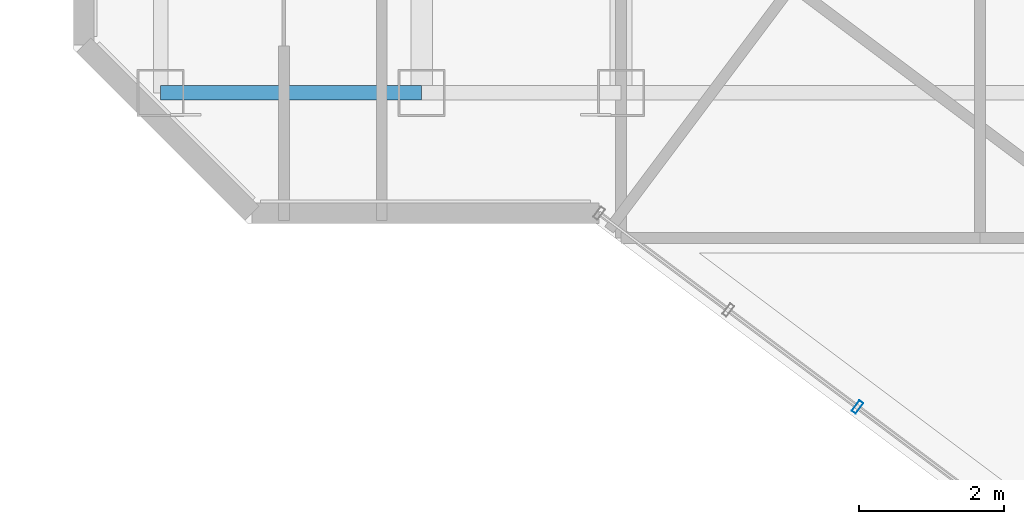
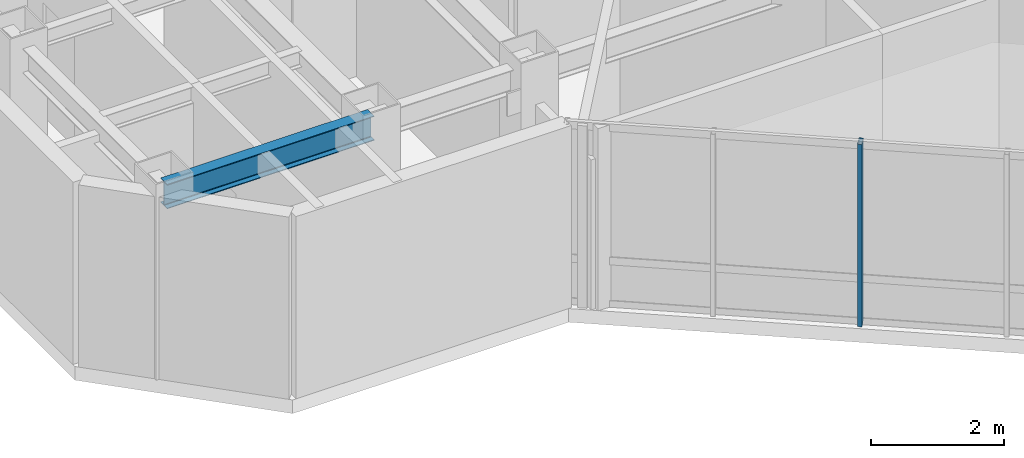
# One storey, part 2 of 21: 1 beam, 1 member, 1 element without a shape of its own.
"""IFC4 building model written with IfcOpenShell, lengths in metres."""

import ifcopenshell
import ifcopenshell.guid

model = None  # the IFC model being written
_history = None  # IfcOwnerHistory: only IFC2X3 demands one
_inside = {}  # id of a spatial element -> (the spatial element, [elements in it])
_under = {}  # id of a project, library or spatial element -> (it, [spatial elements below it])
_declared = {}  # id of a project -> (the project, [libraries it declares])
_typed = {}  # id of a type object -> (the type object, [elements of that type])
_made_of = {}  # id of a material, layer set ... -> (it, [elements and type objects made of it])


def new_model(schema):
    """Start an empty IFC model of exactly this schema.

    Asked for "IFC4X3", IfcOpenShell would pick the latest addendum, in which some entities
    have other attributes; the version numbers below select the first issue.
    IFC2X3 requires an IfcOwnerHistory on every rooted entity: one is made here for all.
    """
    global model, _history
    if schema == "IFC4X3":
        model = ifcopenshell.file(schema_version=(4, 3, 0, 0))
    else:
        model = ifcopenshell.file(schema=schema)
    _inside.clear()
    _under.clear()
    _declared.clear()
    _typed.clear()
    _made_of.clear()
    _history = None
    if model.schema == "IFC2X3":
        org = make("IfcOrganization", Name="unknown")
        user = make(
            "IfcPersonAndOrganization",
            ThePerson=make("IfcPerson", FamilyName="unknown"),
            TheOrganization=org,
        )
        app = make(
            "IfcApplication",
            ApplicationDeveloper=org,
            Version="unknown",
            ApplicationFullName="unknown",
            ApplicationIdentifier="unknown",
        )
        _history = make(
            "IfcOwnerHistory",
            OwningUser=user,
            OwningApplication=app,
            ChangeAction="ADDED",
            CreationDate=0,
        )
    return model


def make(cls, **values):
    """One entity of the class cls with the attributes given. An attribute that is None is left unset."""
    return model.create_entity(
        cls, **{name: value for name, value in values.items() if value is not None}
    )


def rooted(cls, **values):
    """An entity with a GlobalId (a new one), such as an element, a storey or a relation."""
    return make(cls, GlobalId=ifcopenshell.guid.new(), OwnerHistory=_history, **values)


def si_unit(unit_type, name, prefix=None):
    """IfcSIUnit, for example si_unit("LENGTHUNIT", "METRE", prefix="MILLI")."""
    return make("IfcSIUnit", UnitType=unit_type, Prefix=prefix, Name=name)


def assignment(units):
    """IfcUnitAssignment: the units of a project."""
    return None if units is None else make("IfcUnitAssignment", Units=units)


def point(xyz):
    """IfcCartesianPoint."""
    return None if xyz is None else make("IfcCartesianPoint", Coordinates=xyz)


def direction(xyz):
    """IfcDirection."""
    return None if xyz is None else make("IfcDirection", DirectionRatios=xyz)


def frame(location, z_axis=None, x_axis=None):
    """IfcAxis2Placement3D, a coordinate frame: its origin and axes. An axis left out is left unset."""
    return make(
        "IfcAxis2Placement3D",
        Location=point(location),
        Axis=direction(z_axis),
        RefDirection=direction(x_axis),
    )


def frame_2d(location, x_axis=None):
    """IfcAxis2Placement2D, a coordinate frame in the plane: its origin and x axis."""
    return make(
        "IfcAxis2Placement2D", Location=point(location), RefDirection=direction(x_axis)
    )


def origin():
    """The frame at (0, 0, 0) with its axes left unset."""
    return frame((0.0, 0.0, 0.0))


def origin_2d():
    """The frame at (0, 0) in the plane with its x axis left unset."""
    return frame_2d((0.0, 0.0))


def place(relative_to, where):
    """IfcLocalPlacement: puts the frame where relative to a parent placement (None: the world)."""
    return make(
        "IfcLocalPlacement", PlacementRelTo=relative_to, RelativePlacement=where
    )


def context(
    kind, dimensions, precision=None, world=None, true_north=None, identifier=None
):
    """IfcGeometricRepresentationContext, for example the 3D "Model" context."""
    return make(
        "IfcGeometricRepresentationContext",
        ContextIdentifier=identifier,
        ContextType=kind,
        CoordinateSpaceDimension=dimensions,
        Precision=precision,
        WorldCoordinateSystem=world,
        TrueNorth=true_north,
    )


def subcontext(parent, identifier, kind, view, scale=None):
    """IfcGeometricRepresentationSubContext, for example "Body" below "Model"."""
    return make(
        "IfcGeometricRepresentationSubContext",
        ContextIdentifier=identifier,
        ContextType=kind,
        ParentContext=parent,
        TargetScale=scale,
        TargetView=view,
    )


def project(units=None, contexts=None):
    """IfcProject with its units and contexts."""
    return rooted(
        "IfcProject",
        Name="project",
        RepresentationContexts=contexts,
        UnitsInContext=assignment(units),
    )


def spatial(cls, under=None, at=None, **own):
    """A site, building, storey or space (cls), placed at a placement, below another one or the project."""
    s = rooted(cls, ObjectPlacement=at, **own)
    if under is not None:
        _under.setdefault(under.id(), (under, []))[1].append(s)
    return s


def profile(cls, at=None, kind="AREA", **sizes):
    """A parametric profile (cls). Its sizes go by their IFC names, for example OverallWidth=200.0."""
    return make(cls, ProfileType=kind, Position=at, **sizes)


def hollow_rectangle(**sizes):
    """IfcRectangleHollowProfileDef."""
    return profile("IfcRectangleHollowProfileDef", **sizes)


def i_section(**sizes):
    """IfcIShapeProfileDef."""
    return profile("IfcIShapeProfileDef", **sizes)


def extrude(swept, where, along, depth):
    """IfcExtrudedAreaSolid: the profile swept, set in the frame where, extruded along a direction by depth."""
    return make(
        "IfcExtrudedAreaSolid",
        SweptArea=swept,
        Position=where,
        ExtrudedDirection=direction(along),
        Depth=depth,
    )


def shape(context_of_items, identifier, shape_type, items):
    """IfcShapeRepresentation: the items that make up one representation, for example the "Body"."""
    return make(
        "IfcShapeRepresentation",
        ContextOfItems=context_of_items,
        RepresentationIdentifier=identifier,
        RepresentationType=shape_type,
        Items=items,
    )


def material(Name=None, Category=None):
    """IfcMaterial."""
    return make("IfcMaterial", Name=Name, Category=Category)


def layer(
    of_material, thickness, ventilated=None, Name=None, Category=None, Priority=None
):
    """IfcMaterialLayer: one layer of a wall or slab, of a material (None: an air gap)."""
    return make(
        "IfcMaterialLayer",
        Material=of_material,
        LayerThickness=thickness,
        IsVentilated=ventilated,
        Name=Name,
        Category=Category,
        Priority=Priority,
    )


def layer_set(layers, Name=None):
    """IfcMaterialLayerSet."""
    return make("IfcMaterialLayerSet", MaterialLayers=layers, LayerSetName=Name)


def material_profile(
    of_material, cross_section, Name=None, Category=None, Priority=None
):
    """IfcMaterialProfile: a cross section and its material."""
    return make(
        "IfcMaterialProfile",
        Name=Name,
        Material=of_material,
        Profile=cross_section,
        Priority=Priority,
        Category=Category,
    )


def profile_set(profiles, Name=None, composite=None):
    """IfcMaterialProfileSet."""
    return make(
        "IfcMaterialProfileSet",
        Name=Name,
        MaterialProfiles=profiles,
        CompositeProfile=composite,
    )


def made_of(thing, what):
    """Note that an element or type object is made of a material, layer set ...; save() writes the relation."""
    if what is not None:
        _made_of.setdefault(what.id(), (what, []))[1].append(thing)
    return thing


def type_object(cls, material=None, **own):
    """A type object (cls), such as IfcWallType, which elements share."""
    return made_of(rooted(cls, **own), material)


def element(
    cls,
    number,
    at=None,
    inside=None,
    cuts=None,
    type_object=None,
    material=None,
    context=None,
    identifier="Body",
    shape_type=None,
    held_by="IfcProductDefinitionShape",
    body=None,
    shapes=None,
    **own,
):
    """One element of the class cls, such as IfcWall. Its Tag is "e" and its number.

    at: its placement. inside: the storey or other place that contains it. cuts: it is an
    opening in that element (IfcRelVoidsElement). A single representation is given by context,
    identifier, shape_type and body (its items); several are given by shapes. held_by: the class
    of the entity that holds the representations. save() writes the other relations.
    """
    e = rooted(cls, Tag="e%d" % number, ObjectPlacement=at, **own)
    if body is not None:
        shapes = [shape(context, identifier, shape_type, body)]
    if shapes is not None:
        e.Representation = make(held_by, Representations=shapes)
    if inside is not None:
        _inside.setdefault(inside.id(), (inside, []))[1].append(e)
    if cuts is not None:
        rooted(
            "IfcRelVoidsElement", RelatingBuildingElement=cuts, RelatedOpeningElement=e
        )
    if type_object is not None:
        _typed.setdefault(type_object.id(), (type_object, []))[1].append(e)
    return made_of(e, material)


def aggregate(whole, parts):
    """IfcRelAggregates: a whole, such as a stair, and the parts it consists of."""
    return rooted("IfcRelAggregates", RelatingObject=whole, RelatedObjects=parts)


def save(model, path):
    """Write the relations noted so far, then the file.

    IfcRelAggregates (storeys below a building ...), IfcRelContainedInSpatialStructure (elements
    in a storey), IfcRelDefinesByType, IfcRelAssociatesMaterial and IfcRelDeclares: one each for
    every whole, place, type object, material and project.
    """
    for whole, parts in _under.values():
        aggregate(whole, parts)
    for where, things in _inside.values():
        rooted(
            "IfcRelContainedInSpatialStructure",
            RelatedElements=things,
            RelatingStructure=where,
        )
    for kind, things in _typed.values():
        rooted("IfcRelDefinesByType", RelatedObjects=things, RelatingType=kind)
    for what, things in _made_of.values():
        rooted("IfcRelAssociatesMaterial", RelatedObjects=things, RelatingMaterial=what)
    for by, libraries in _declared.values():
        rooted("IfcRelDeclares", RelatingContext=by, RelatedDefinitions=libraries)
    model.write(path)


model = new_model("IFC4")

# Units and contexts
model_context = context("Model", 3, precision=1e-05, world=origin(), true_north=direction((0.0, 1.0)))
body_context = subcontext(model_context, "Body", "Model", "MODEL_VIEW")
ifc_project = project(units=[si_unit("LENGTHUNIT", "METRE"), si_unit("AREAUNIT", "SQUARE_METRE"), si_unit("VOLUMEUNIT", "CUBIC_METRE"), si_unit("PLANEANGLEUNIT", "RADIAN"), si_unit("MASSUNIT", "GRAM", prefix="KILO")], contexts=[model_context])

# Site, building, storey
site_placement = place(None, origin())
site = spatial("IfcSite", under=ifc_project, at=site_placement, CompositionType="ELEMENT")
building_placement = place(site_placement, origin())
building = spatial("IfcBuilding", under=site, at=building_placement, Name="Hatsunagi Terrace Concourse", CompositionType="ELEMENT")
storey_placement = place(building_placement, frame((0.0, 0.0, 246.75)))
storey = spatial("IfcBuildingStorey", under=building, at=storey_placement, Name="L65", CompositionType="ELEMENT", Elevation=246.75)

# Curtain wall, member
ifc_material_1 = material(Name="Anodised Aluminium Alloy 6063-T5", Category="aluminium")
ifc_layer = layer(ifc_material_1, 0.199951171875)
ifc_layer_set = layer_set([ifc_layer], Name="OfficeZone2_CW04")
curtain_wall_type = type_object("IfcCurtainWallType", Name="OfficeZone2_CW04", PredefinedType="NOTDEFINED", material=ifc_layer_set)
curtain_wall_placement = place(storey_placement, origin())
curtain_wall = element("IfcCurtainWall", 1, at=curtain_wall_placement, inside=storey, type_object=curtain_wall_type, Name="Unitised Curtain Wall CW-04 CW-L65-05", PredefinedType="NOTDEFINED")
ifc_material_2 = material(Name="Anodised Aluminium Alloy 6063-T5", Category="aluminium")
ifc_material_profile_1 = material_profile(ifc_material_2, hollow_rectangle(XDim=0.070068359375, YDim=0.179931640625, WallThickness=0.00390625, at=origin_2d()), Name="ALU-MUL-180x70x4")
ifc_profile_set_1 = profile_set([ifc_material_profile_1], Name="Anodised Aluminium Alloy 6063-T5")
member_type = type_object("IfcMemberType", Name="CurtainWallMullion_180x70", PredefinedType="MULLION", material=ifc_profile_set_1)
member_placement = place(storey_placement, frame((28.81005859375, 20.867919921875, 0.0), z_axis=(0.0, 0.0, 1.0), x_axis=(-0.800007305671, 0.599990258982, 0.0)))
member = element("IfcMember", 2, at=member_placement, type_object=member_type, Name="Curtain Wall Mullion MUL-02", PredefinedType="MULLION", context=body_context, shape_type="SweptSolid", body=[
    extrude(hollow_rectangle(XDim=0.070068359375, YDim=0.179931640625, WallThickness=0.00390625, at=origin_2d()), origin(), (0.0, 0.0, 1.0), 3.35009765625),
])
aggregate(curtain_wall, [member])

# Beam
ifc_material_3 = material(Name="Steel SN490B", Category="steel")
ifc_material_profile_2 = material_profile(ifc_material_3, i_section(OverallWidth=0.199951171875, OverallDepth=0.449951171875, WebThickness=0.009033203125, FlangeThickness=0.013916015625, FilletRadius=0.01611328125, at=origin_2d()), Name="H-450x200x9x14")
ifc_profile_set_2 = profile_set([ifc_material_profile_2], Name="Steel SN490B")
beam_type = type_object("IfcBeamType", Name="PerimeterSpandrel_H_450x200", PredefinedType="SPANDREL", material=ifc_profile_set_2)
beam_placement = place(storey_placement, frame((19.199951171875, 25.199951171875, 3.125), z_axis=(1.0, 0.0, 0.0), x_axis=(0.0, 1.0, 0.0)))
element("IfcBeam", 3, at=beam_placement, inside=storey, type_object=beam_type, Name="Beam SP-02 BM-L65-WS-19", PredefinedType="SPANDREL", context=body_context, shape_type="SweptSolid", body=[
    extrude(i_section(OverallWidth=0.199951171875, OverallDepth=0.449951171875, WebThickness=0.009033203125, FlangeThickness=0.013916015625, FilletRadius=0.01611328125, at=origin_2d()), origin(), (0.0, 0.0, 1.0), 3.60009765625),
])

save(model, "model.ifc")
